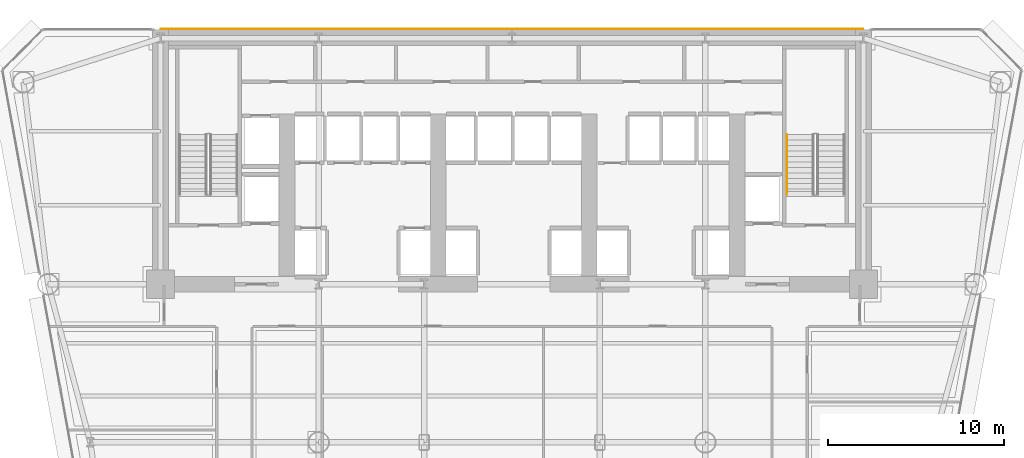
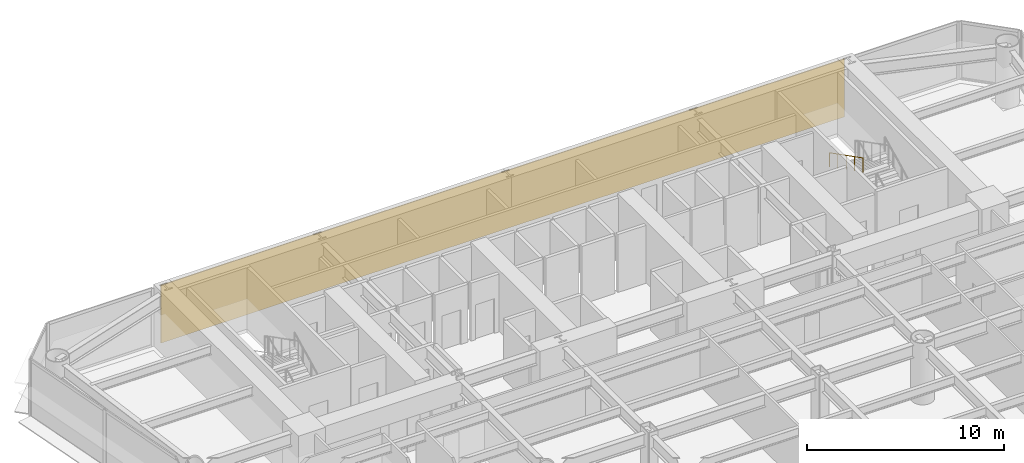
# One storey, part 13 of 14: 1 covering, 1 railing.
"""IFC4 building model written with IfcOpenShell, lengths in metres."""

import ifcopenshell
import ifcopenshell.guid

model = None  # the IFC model being written
_history = None  # IfcOwnerHistory: only IFC2X3 demands one
_inside = {}  # id of a spatial element -> (the spatial element, [elements in it])
_under = {}  # id of a project, library or spatial element -> (it, [spatial elements below it])
_declared = {}  # id of a project -> (the project, [libraries it declares])
_typed = {}  # id of a type object -> (the type object, [elements of that type])
_made_of = {}  # id of a material, layer set ... -> (it, [elements and type objects made of it])


def new_model(schema):
    """Start an empty IFC model of exactly this schema.

    Asked for "IFC4X3", IfcOpenShell would pick the latest addendum, in which some entities
    have other attributes; the version numbers below select the first issue.
    IFC2X3 requires an IfcOwnerHistory on every rooted entity: one is made here for all.
    """
    global model, _history
    if schema == "IFC4X3":
        model = ifcopenshell.file(schema_version=(4, 3, 0, 0))
    else:
        model = ifcopenshell.file(schema=schema)
    _inside.clear()
    _under.clear()
    _declared.clear()
    _typed.clear()
    _made_of.clear()
    _history = None
    if model.schema == "IFC2X3":
        org = make("IfcOrganization", Name="unknown")
        user = make(
            "IfcPersonAndOrganization",
            ThePerson=make("IfcPerson", FamilyName="unknown"),
            TheOrganization=org,
        )
        app = make(
            "IfcApplication",
            ApplicationDeveloper=org,
            Version="unknown",
            ApplicationFullName="unknown",
            ApplicationIdentifier="unknown",
        )
        _history = make(
            "IfcOwnerHistory",
            OwningUser=user,
            OwningApplication=app,
            ChangeAction="ADDED",
            CreationDate=0,
        )
    return model


def make(cls, **values):
    """One entity of the class cls with the attributes given. An attribute that is None is left unset."""
    return model.create_entity(
        cls, **{name: value for name, value in values.items() if value is not None}
    )


def rooted(cls, **values):
    """An entity with a GlobalId (a new one), such as an element, a storey or a relation."""
    return make(cls, GlobalId=ifcopenshell.guid.new(), OwnerHistory=_history, **values)


def si_unit(unit_type, name, prefix=None):
    """IfcSIUnit, for example si_unit("LENGTHUNIT", "METRE", prefix="MILLI")."""
    return make("IfcSIUnit", UnitType=unit_type, Prefix=prefix, Name=name)


def assignment(units):
    """IfcUnitAssignment: the units of a project."""
    return None if units is None else make("IfcUnitAssignment", Units=units)


def point(xyz):
    """IfcCartesianPoint."""
    return None if xyz is None else make("IfcCartesianPoint", Coordinates=xyz)


def direction(xyz):
    """IfcDirection."""
    return None if xyz is None else make("IfcDirection", DirectionRatios=xyz)


def frame(location, z_axis=None, x_axis=None):
    """IfcAxis2Placement3D, a coordinate frame: its origin and axes. An axis left out is left unset."""
    return make(
        "IfcAxis2Placement3D",
        Location=point(location),
        Axis=direction(z_axis),
        RefDirection=direction(x_axis),
    )


def frame_2d(location, x_axis=None):
    """IfcAxis2Placement2D, a coordinate frame in the plane: its origin and x axis."""
    return make(
        "IfcAxis2Placement2D", Location=point(location), RefDirection=direction(x_axis)
    )


def origin():
    """The frame at (0, 0, 0) with its axes left unset."""
    return frame((0.0, 0.0, 0.0))


def origin_2d():
    """The frame at (0, 0) in the plane with its x axis left unset."""
    return frame_2d((0.0, 0.0))


def place(relative_to, where):
    """IfcLocalPlacement: puts the frame where relative to a parent placement (None: the world)."""
    return make(
        "IfcLocalPlacement", PlacementRelTo=relative_to, RelativePlacement=where
    )


def context(
    kind, dimensions, precision=None, world=None, true_north=None, identifier=None
):
    """IfcGeometricRepresentationContext, for example the 3D "Model" context."""
    return make(
        "IfcGeometricRepresentationContext",
        ContextIdentifier=identifier,
        ContextType=kind,
        CoordinateSpaceDimension=dimensions,
        Precision=precision,
        WorldCoordinateSystem=world,
        TrueNorth=true_north,
    )


def subcontext(parent, identifier, kind, view, scale=None):
    """IfcGeometricRepresentationSubContext, for example "Body" below "Model"."""
    return make(
        "IfcGeometricRepresentationSubContext",
        ContextIdentifier=identifier,
        ContextType=kind,
        ParentContext=parent,
        TargetScale=scale,
        TargetView=view,
    )


def project(units=None, contexts=None):
    """IfcProject with its units and contexts."""
    return rooted(
        "IfcProject",
        Name="project",
        RepresentationContexts=contexts,
        UnitsInContext=assignment(units),
    )


def spatial(cls, under=None, at=None, **own):
    """A site, building, storey or space (cls), placed at a placement, below another one or the project."""
    s = rooted(cls, ObjectPlacement=at, **own)
    if under is not None:
        _under.setdefault(under.id(), (under, []))[1].append(s)
    return s


def polyline(points):
    """IfcPolyline through the points."""
    return make("IfcPolyline", Points=[point(p) for p in points])


def profile(cls, at=None, kind="AREA", **sizes):
    """A parametric profile (cls). Its sizes go by their IFC names, for example OverallWidth=200.0."""
    return make(cls, ProfileType=kind, Position=at, **sizes)


def circle(**sizes):
    """IfcCircleProfileDef."""
    return profile("IfcCircleProfileDef", **sizes)


def outline(outer, holes=None, kind="AREA"):
    """IfcArbitraryClosedProfileDef: a profile drawn as a closed curve; with holes, ...WithVoids."""
    if holes is None:
        return make("IfcArbitraryClosedProfileDef", ProfileType=kind, OuterCurve=outer)
    return make(
        "IfcArbitraryProfileDefWithVoids",
        ProfileType=kind,
        OuterCurve=outer,
        InnerCurves=holes,
    )


def extrude(swept, where, along, depth):
    """IfcExtrudedAreaSolid: the profile swept, set in the frame where, extruded along a direction by depth."""
    return make(
        "IfcExtrudedAreaSolid",
        SweptArea=swept,
        Position=where,
        ExtrudedDirection=direction(along),
        Depth=depth,
    )


def shape(context_of_items, identifier, shape_type, items):
    """IfcShapeRepresentation: the items that make up one representation, for example the "Body"."""
    return make(
        "IfcShapeRepresentation",
        ContextOfItems=context_of_items,
        RepresentationIdentifier=identifier,
        RepresentationType=shape_type,
        Items=items,
    )


def material(Name=None, Category=None):
    """IfcMaterial."""
    return make("IfcMaterial", Name=Name, Category=Category)


def layer(
    of_material, thickness, ventilated=None, Name=None, Category=None, Priority=None
):
    """IfcMaterialLayer: one layer of a wall or slab, of a material (None: an air gap)."""
    return make(
        "IfcMaterialLayer",
        Material=of_material,
        LayerThickness=thickness,
        IsVentilated=ventilated,
        Name=Name,
        Category=Category,
        Priority=Priority,
    )


def layer_set(layers, Name=None):
    """IfcMaterialLayerSet."""
    return make("IfcMaterialLayerSet", MaterialLayers=layers, LayerSetName=Name)


def made_of(thing, what):
    """Note that an element or type object is made of a material, layer set ...; save() writes the relation."""
    if what is not None:
        _made_of.setdefault(what.id(), (what, []))[1].append(thing)
    return thing


def type_object(cls, material=None, **own):
    """A type object (cls), such as IfcWallType, which elements share."""
    return made_of(rooted(cls, **own), material)


def element(
    cls,
    number,
    at=None,
    inside=None,
    cuts=None,
    type_object=None,
    material=None,
    context=None,
    identifier="Body",
    shape_type=None,
    held_by="IfcProductDefinitionShape",
    body=None,
    shapes=None,
    **own,
):
    """One element of the class cls, such as IfcWall. Its Tag is "e" and its number.

    at: its placement. inside: the storey or other place that contains it. cuts: it is an
    opening in that element (IfcRelVoidsElement). A single representation is given by context,
    identifier, shape_type and body (its items); several are given by shapes. held_by: the class
    of the entity that holds the representations. save() writes the other relations.
    """
    e = rooted(cls, Tag="e%d" % number, ObjectPlacement=at, **own)
    if body is not None:
        shapes = [shape(context, identifier, shape_type, body)]
    if shapes is not None:
        e.Representation = make(held_by, Representations=shapes)
    if inside is not None:
        _inside.setdefault(inside.id(), (inside, []))[1].append(e)
    if cuts is not None:
        rooted(
            "IfcRelVoidsElement", RelatingBuildingElement=cuts, RelatedOpeningElement=e
        )
    if type_object is not None:
        _typed.setdefault(type_object.id(), (type_object, []))[1].append(e)
    return made_of(e, material)


def aggregate(whole, parts):
    """IfcRelAggregates: a whole, such as a stair, and the parts it consists of."""
    return rooted("IfcRelAggregates", RelatingObject=whole, RelatedObjects=parts)


def save(model, path):
    """Write the relations noted so far, then the file.

    IfcRelAggregates (storeys below a building ...), IfcRelContainedInSpatialStructure (elements
    in a storey), IfcRelDefinesByType, IfcRelAssociatesMaterial and IfcRelDeclares: one each for
    every whole, place, type object, material and project.
    """
    for whole, parts in _under.values():
        aggregate(whole, parts)
    for where, things in _inside.values():
        rooted(
            "IfcRelContainedInSpatialStructure",
            RelatedElements=things,
            RelatingStructure=where,
        )
    for kind, things in _typed.values():
        rooted("IfcRelDefinesByType", RelatedObjects=things, RelatingType=kind)
    for what, things in _made_of.values():
        rooted("IfcRelAssociatesMaterial", RelatedObjects=things, RelatingMaterial=what)
    for by, libraries in _declared.values():
        rooted("IfcRelDeclares", RelatingContext=by, RelatedDefinitions=libraries)
    model.write(path)


model = new_model("IFC4")

# Units and contexts
model_context = context("Model", 3, precision=1e-05, world=origin(), true_north=direction((0.0, 1.0)))
body_context = subcontext(model_context, "Body", "Model", "MODEL_VIEW")
ifc_project = project(units=[si_unit("LENGTHUNIT", "METRE"), si_unit("AREAUNIT", "SQUARE_METRE"), si_unit("VOLUMEUNIT", "CUBIC_METRE"), si_unit("PLANEANGLEUNIT", "RADIAN"), si_unit("MASSUNIT", "GRAM", prefix="KILO")], contexts=[model_context])

# Site, building, storey
site_placement = place(None, origin())
site = spatial("IfcSite", under=ifc_project, at=site_placement, CompositionType="ELEMENT")
building_placement = place(site_placement, origin())
building = spatial("IfcBuilding", under=site, at=building_placement, Name="Vaeldorn Concourse Tower", CompositionType="ELEMENT")
storey_placement = place(building_placement, frame((0.0, 0.0, 49.199951171875)))
storey = spatial("IfcBuildingStorey", under=building, at=storey_placement, Name="L12", CompositionType="ELEMENT", Elevation=49.199951171875)

# Covering
ifc_material = material(Name="Anodised Bronze Aluminium", Category="aluminium")
ifc_layer = layer(ifc_material, 0.050048828125)
ifc_layer_set = layer_set([ifc_layer], Name="Anodised Bronze Aluminium")
covering_type = type_object("IfcCoveringType", Name="COV-CLAD-BRONZE", PredefinedType="CLADDING", material=ifc_layer_set)
covering_placement = place(storey_placement, origin())
element("IfcCovering", 1, at=covering_placement, inside=storey, type_object=covering_type, Name="Rear Core Bronze Spandrel Cladding L12", PredefinedType="CLADDING", context=body_context, shape_type="SweptSolid", body=[
    extrude(outline(polyline([(14.0, 51.0), (54.0, 51.0), (54.0, 51.050048828125), (14.0, 51.050048828125), (14.0, 51.0)])), origin(), (0.0, 0.0, 1.0), 3.580078125),
])

# Railing
railing_type = type_object("IfcRailingType", Name="RL-STAIR-HANDRAIL", PredefinedType="HANDRAIL", material=ifc_material)
railing_placement = place(storey_placement, frame((49.64990234375, 45.010009765625, 2.058349609375)))
element("IfcRailing", 2, at=railing_placement, inside=storey, type_object=railing_type, Name="L12 ST-2 stair handrail 2", PredefinedType="HANDRAIL", context=body_context, shape_type="SweptSolid", body=[
    extrude(circle(Radius=0.02392578125, at=origin_2d()), frame((0.0, 0.0, 0.8759765625), z_axis=(0.0, -0.890555807335, 0.454873997962), x_axis=(1.0, 0.0, 0.0)), (0.0, 0.0, 1.0), 3.828857421875),
    extrude(circle(Radius=0.02099609375, at=origin_2d()), origin(), (0.0, 0.0, 1.0), 0.851806640625),
    extrude(circle(Radius=0.02099609375, at=origin_2d()), frame((0.0, -0.8525390625, 0.435546875)), (0.0, 0.0, 1.0), 0.851806640625),
    extrude(circle(Radius=0.02099609375, at=origin_2d()), frame((0.0, -1.705078125, 0.870849609375)), (0.0, 0.0, 1.0), 0.851806640625),
    extrude(circle(Radius=0.02099609375, at=origin_2d()), frame((0.0, -2.557373046875, 1.30615234375)), (0.0, 0.0, 1.0), 0.851806640625),
    extrude(circle(Radius=0.02099609375, at=origin_2d()), frame((0.0, -3.409912109375, 1.74169921875)), (0.0, 0.0, 1.0), 0.851806640625),
])

save(model, "model.ifc")
